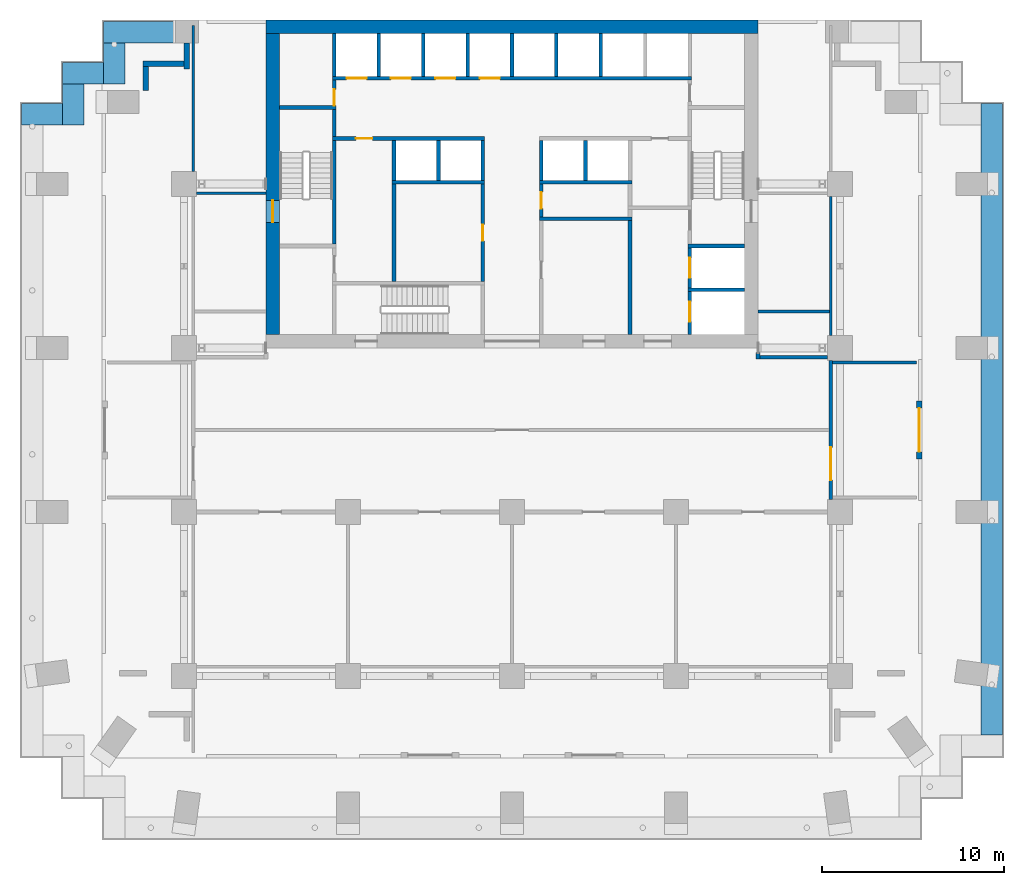
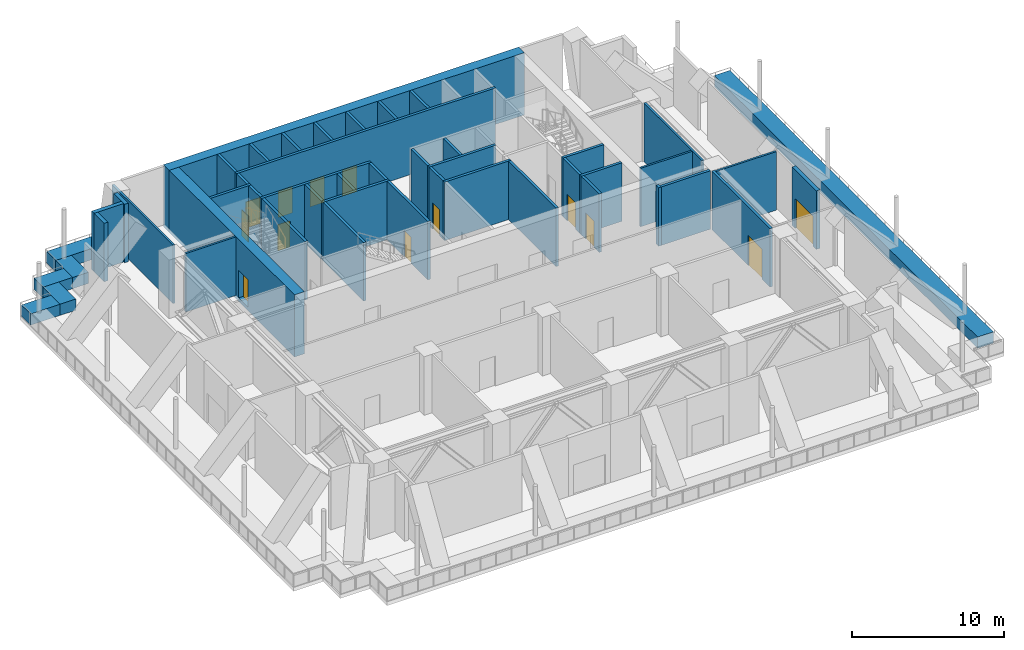
# One storey, part 4 of 9: 49 walls, 13 doors, 13 openings.
"""IFC4 building model written with IfcOpenShell, lengths in metres."""

from ifc_helpers import new_model, si_unit, direction, frame, frame_2d, origin, place, context, subcontext, project, spatial, rectangle, extrude, material, layer, layer_set, type_object, element, fill, save


model = new_model("IFC4")

# Units and contexts
model_context = context("Model", 3, precision=1e-05, world=origin(), true_north=direction((0.0, 1.0)))
body_context = subcontext(model_context, "Body", "Model", "MODEL_VIEW")
ifc_project = project(units=[si_unit("LENGTHUNIT", "METRE"), si_unit("AREAUNIT", "SQUARE_METRE"), si_unit("VOLUMEUNIT", "CUBIC_METRE"), si_unit("PLANEANGLEUNIT", "RADIAN"), si_unit("MASSUNIT", "GRAM", prefix="KILO")], contexts=[model_context])

# Site, building, storey
site_placement = place(None, origin())
site = spatial("IfcSite", under=ifc_project, at=site_placement, CompositionType="ELEMENT")
building_placement = place(site_placement, origin())
building = spatial("IfcBuilding", under=site, at=building_placement, Name="Orbiselva Terraces", CompositionType="ELEMENT")
storey_placement = place(building_placement, frame((0.0, 0.0, 115.0)))
storey = spatial("IfcBuildingStorey", under=building, at=storey_placement, Name="L29", CompositionType="ELEMENT", Elevation=115.0)

# Wall, opening, door
ifc_material_1 = material(Name="Concrete C80/95", Category="concrete")
ifc_layer_1 = layer(ifc_material_1, 0.75)
ifc_layer_set_1 = layer_set([ifc_layer_1], Name="Concrete C80/95")
wall_type_1 = type_object("IfcWallType", Name="CORE WALL 750", PredefinedType="SHEAR", material=ifc_layer_set_1)
wall_1_placement = place(storey_placement, frame((-13.125, 21.75, -0.3), z_axis=(0.0, 0.0, 1.0), x_axis=(0.0, -1.0, 0.0)))
wall_1 = element("IfcWall", 1, at=wall_1_placement, inside=storey, type_object=wall_type_1, Name="Core wall L29 west", PredefinedType="SHEAR", context=body_context, shape_type="SweptSolid", body=[
    extrude(rectangle(XDim=16.5, YDim=0.75, at=frame_2d((8.25, 0.0))), origin(), (0.0, 0.0, 1.0), 5.0),
])
opening_1_placement = place(wall_1_placement, frame((9.15, 0.0, 0.3)))
opening_1 = element("IfcOpeningElement", 2, at=opening_1_placement, cuts=wall_1, Name="Opening DS1200", PredefinedType="OPENING", context=body_context, shape_type="SweptSolid", body=[
    extrude(rectangle(XDim=1.2, YDim=2.2, at=frame_2d((0.6, 1.1))), frame((0.0, 0.385, 0.0), z_axis=(0.0, -1.0, 0.0), x_axis=(1.0, 0.0, 0.0)), (0.0, 0.0, 1.0), 0.77),
])
ifc_material_2 = material(Name="Steel fire door", Category="steel")
door_type_1 = type_object("IfcDoorType", Name="STAIR DOOR 1200", OperationType="NOTDEFINED", PredefinedType="DOOR", material=ifc_material_2)
door_1_placement = place(opening_1_placement, frame((1.2, 0.0, 0.0), z_axis=(0.0, 0.0, 1.0), x_axis=(-1.0, 0.0, 0.0)))
door_1 = element("IfcDoor", 3, at=door_1_placement, inside=storey, type_object=door_type_1, Name="L29 EXIT STAIR S1 door", OperationType="SINGLE_SWING_RIGHT", OverallHeight=2.2, OverallWidth=1.2, PredefinedType="DOOR", context=body_context, shape_type="SweptSolid", body=[
    extrude(rectangle(XDim=1.2, YDim=2.2, at=frame_2d((0.6, 1.1))), frame((0.0, 0.025, 0.0), z_axis=(0.0, -1.0, 0.0), x_axis=(1.0, 0.0, 0.0)), (0.0, 0.0, 1.0), 0.05),
])
fill(opening_1, door_1)

# Wall
ifc_layer_2 = layer(ifc_material_1, 0.75)
ifc_layer_set_2 = layer_set([ifc_layer_2], Name="Concrete C80/95")
wall_type_2 = type_object("IfcWallType", Name="CORE WALL 750 EXTERNAL", PredefinedType="SHEAR", material=ifc_layer_set_2)
wall_2_placement = place(storey_placement, frame((13.5, 22.125, -0.3), z_axis=(0.0, 0.0, 1.0), x_axis=(-1.0, 0.0, 0.0)))
element("IfcWall", 4, at=wall_2_placement, inside=storey, type_object=wall_type_2, Name="Core wall L29 north", PredefinedType="SHEAR", context=body_context, shape_type="SweptSolid", body=[
    extrude(rectangle(XDim=27.0, YDim=0.75, at=frame_2d((13.5, 0.0))), origin(), (0.0, 0.0, 1.0), 5.0),
])

# Wall, opening, door
ifc_material_3 = material(Name="Masonry blockwork", Category="masonry")
ifc_layer_3 = layer(ifc_material_3, 0.2)
ifc_layer_set_3 = layer_set([ifc_layer_3], Name="Masonry blockwork")
wall_type_3 = type_object("IfcWallType", Name="CORE-WALL-PARTITION-200", PredefinedType="PARTITIONING", material=ifc_layer_set_3)
wall_3_placement = place(storey_placement, frame((-9.75, 17.8, 0.0), z_axis=(0.0, 0.0, 1.0), x_axis=(0.0, 1.0, 0.0)))
wall_3 = element("IfcWall", 5, at=wall_3_placement, inside=storey, type_object=wall_type_3, Name="L29 core wall 09", PredefinedType="PARTITIONING", context=body_context, shape_type="SweptSolid", body=[
    extrude(rectangle(XDim=1.4, YDim=0.2, at=frame_2d((0.7, 0.0))), origin(), (0.0, 0.0, 1.0), 4.7),
])
opening_2_placement = place(wall_3_placement, origin())
opening_2 = element("IfcOpeningElement", 6, at=opening_2_placement, cuts=wall_3, Name="Opening DR900", PredefinedType="OPENING", context=body_context, shape_type="SweptSolid", body=[
    extrude(rectangle(XDim=0.9, YDim=2.1, at=frame_2d((0.45, 1.05))), frame((0.0, 0.11, 0.0), z_axis=(0.0, -1.0, 0.0), x_axis=(1.0, 0.0, 0.0)), (0.0, 0.0, 1.0), 0.22),
])
door_type_2 = type_object("IfcDoorType", Name="ROOM DOOR 900", OperationType="NOTDEFINED", PredefinedType="DOOR", material=ifc_material_2)
door_2_placement = place(opening_2_placement, origin())
door_2 = element("IfcDoor", 7, at=door_2_placement, inside=storey, type_object=door_type_2, Name="L29 REFUGE STAIR LOBBY door", OperationType="SINGLE_SWING_LEFT", OverallHeight=2.1, OverallWidth=0.9, PredefinedType="DOOR", context=body_context, shape_type="SweptSolid", body=[
    extrude(rectangle(XDim=0.9, YDim=2.1, at=frame_2d((0.45, 1.05))), frame((0.0, 0.025, 0.0), z_axis=(0.0, -1.0, 0.0), x_axis=(1.0, 0.0, 0.0)), (0.0, 0.0, 1.0), 0.05),
])
fill(opening_2, door_2)

# Wall
wall_4_placement = place(storey_placement, frame((-6.475, 8.15, 0.0), z_axis=(0.0, 0.0, 1.0), x_axis=(0.0, 1.0, 0.0)))
element("IfcWall", 8, at=wall_4_placement, inside=storey, type_object=wall_type_3, Name="L29 core wall 13", PredefinedType="PARTITIONING", context=body_context, shape_type="SweptSolid", body=[
    extrude(rectangle(XDim=5.35, YDim=0.2, at=frame_2d((2.675, 0.0))), origin(), (0.0, 0.0, 1.0), 4.7),
])

# Wall, opening, door
wall_5_placement = place(storey_placement, frame((1.6, 13.5, 0.0), z_axis=(0.0, 0.0, 1.0), x_axis=(0.0, -1.0, 0.0)))
wall_5 = element("IfcWall", 9, at=wall_5_placement, inside=storey, type_object=wall_type_3, Name="L29 core wall 25", PredefinedType="PARTITIONING", context=body_context, shape_type="SweptSolid", body=[
    extrude(rectangle(XDim=1.8, YDim=0.2, at=frame_2d((0.9, 0.0))), origin(), (0.0, 0.0, 1.0), 4.7),
])
opening_3_placement = place(wall_5_placement, frame((0.45, 0.0, 0.0)))
opening_3 = element("IfcOpeningElement", 10, at=opening_3_placement, cuts=wall_5, Name="Opening DR900", PredefinedType="OPENING", context=body_context, shape_type="SweptSolid", body=[
    extrude(rectangle(XDim=0.9, YDim=2.1, at=frame_2d((0.45, 1.05))), frame((0.0, 0.11, 0.0), z_axis=(0.0, -1.0, 0.0), x_axis=(1.0, 0.0, 0.0)), (0.0, 0.0, 1.0), 0.22),
])
door_3_placement = place(opening_3_placement, origin())
door_3 = element("IfcDoor", 11, at=door_3_placement, inside=storey, type_object=door_type_2, Name="L29 BMS CONTROL ROOM door", OperationType="SINGLE_SWING_LEFT", OverallHeight=2.1, OverallWidth=0.9, PredefinedType="DOOR", context=body_context, shape_type="SweptSolid", body=[
    extrude(rectangle(XDim=0.9, YDim=2.1, at=frame_2d((0.45, 1.05))), frame((0.0, 0.025, 0.0), z_axis=(0.0, -1.0, 0.0), x_axis=(1.0, 0.0, 0.0)), (0.0, 0.0, 1.0), 0.05),
])
fill(opening_3, door_3)

# Walls
ifc_material_4 = material(Name="Concrete C40/50", Category="concrete")
ifc_layer_4 = layer(ifc_material_4, 0.2)
ifc_layer_set_4 = layer_set([ifc_layer_4], Name="Concrete C40/50")
wall_type_4 = type_object("IfcWallType", Name="CORE-WALL-SHAFT-200", PredefinedType="PARTITIONING", material=ifc_layer_set_4)
for number, where, z_axis, x_axis, name in (
    (12, (-9.75, 19.4, 0.0), (0.0, 0.0, 1.0), (0.0, 1.0, 0.0), "L29 core wall 11"),
    (13, (-7.3125, 19.4, 0.0), (0.0, 0.0, 1.0), (0.0, 1.0, 0.0), "L29 core wall 12"),
):
    element("IfcWall", number, at=place(storey_placement, frame(where, z_axis=z_axis, x_axis=x_axis)), inside=storey, type_object=wall_type_4, Name=name, PredefinedType="PARTITIONING", context=body_context, shape_type="SweptSolid", body=[
        extrude(rectangle(XDim=2.35, YDim=0.2, at=frame_2d((1.175, 0.0))), origin(), (0.0, 0.0, 1.0), 4.7),
    ])
wall_6_placement = place(storey_placement, frame((-6.475, 13.7, 0.0), z_axis=(0.0, 0.0, 1.0), x_axis=(0.0, 1.0, 0.0)))
element("IfcWall", 14, at=wall_6_placement, inside=storey, type_object=wall_type_4, Name="L29 core wall 15", PredefinedType="PARTITIONING", context=body_context, shape_type="SweptSolid", body=[
    extrude(rectangle(XDim=2.2, YDim=0.2, at=frame_2d((1.1, 0.0))), origin(), (0.0, 0.0, 1.0), 4.7),
])
wall_7_placement = place(storey_placement, frame((-4.875, 19.4, 0.0), z_axis=(0.0, 0.0, 1.0), x_axis=(0.0, 1.0, 0.0)))
element("IfcWall", 15, at=wall_7_placement, inside=storey, type_object=wall_type_4, Name="L29 core wall 16", PredefinedType="PARTITIONING", context=body_context, shape_type="SweptSolid", body=[
    extrude(rectangle(XDim=2.35, YDim=0.2, at=frame_2d((1.175, 0.0))), origin(), (0.0, 0.0, 1.0), 4.7),
])
wall_8_placement = place(storey_placement, frame((-4.0375, 13.7, 0.0), z_axis=(0.0, 0.0, 1.0), x_axis=(0.0, 1.0, 0.0)))
element("IfcWall", 16, at=wall_8_placement, inside=storey, type_object=wall_type_4, Name="L29 core wall 17", PredefinedType="PARTITIONING", context=body_context, shape_type="SweptSolid", body=[
    extrude(rectangle(XDim=2.2, YDim=0.2, at=frame_2d((1.1, 0.0))), origin(), (0.0, 0.0, 1.0), 4.7),
])
wall_9_placement = place(storey_placement, frame((-2.4375, 19.4, 0.0), z_axis=(0.0, 0.0, 1.0), x_axis=(0.0, 1.0, 0.0)))
element("IfcWall", 17, at=wall_9_placement, inside=storey, type_object=wall_type_4, Name="L29 core wall 18", PredefinedType="PARTITIONING", context=body_context, shape_type="SweptSolid", body=[
    extrude(rectangle(XDim=2.35, YDim=0.2, at=frame_2d((1.175, 0.0))), origin(), (0.0, 0.0, 1.0), 4.7),
])
wall_10_placement = place(storey_placement, frame((-1.6, 13.7, 0.0), z_axis=(0.0, 0.0, 1.0), x_axis=(0.0, 1.0, 0.0)))
element("IfcWall", 18, at=wall_10_placement, inside=storey, type_object=wall_type_4, Name="L29 core wall 21", PredefinedType="PARTITIONING", context=body_context, shape_type="SweptSolid", body=[
    extrude(rectangle(XDim=2.2, YDim=0.2, at=frame_2d((1.1, 0.0))), origin(), (0.0, 0.0, 1.0), 4.7),
])
wall_11_placement = place(storey_placement, frame((0.0, 19.4, 0.0), z_axis=(0.0, 0.0, 1.0), x_axis=(0.0, 1.0, 0.0)))
element("IfcWall", 19, at=wall_11_placement, inside=storey, type_object=wall_type_4, Name="L29 core wall 22", PredefinedType="PARTITIONING", context=body_context, shape_type="SweptSolid", body=[
    extrude(rectangle(XDim=2.35, YDim=0.2, at=frame_2d((1.175, 0.0))), origin(), (0.0, 0.0, 1.0), 4.7),
])
wall_12_placement = place(storey_placement, frame((1.6, 13.7, 0.0), z_axis=(0.0, 0.0, 1.0), x_axis=(0.0, 1.0, 0.0)))
element("IfcWall", 20, at=wall_12_placement, inside=storey, type_object=wall_type_4, Name="L29 core wall 27", PredefinedType="PARTITIONING", context=body_context, shape_type="SweptSolid", body=[
    extrude(rectangle(XDim=2.2, YDim=0.2, at=frame_2d((1.1, 0.0))), origin(), (0.0, 0.0, 1.0), 4.7),
])
wall_13_placement = place(storey_placement, frame((2.4375, 19.4, 0.0), z_axis=(0.0, 0.0, 1.0), x_axis=(0.0, 1.0, 0.0)))
element("IfcWall", 21, at=wall_13_placement, inside=storey, type_object=wall_type_4, Name="L29 core wall 29", PredefinedType="PARTITIONING", context=body_context, shape_type="SweptSolid", body=[
    extrude(rectangle(XDim=2.35, YDim=0.2, at=frame_2d((1.175, 0.0))), origin(), (0.0, 0.0, 1.0), 4.7),
])
wall_14_placement = place(storey_placement, frame((4.0375, 13.7, 0.0), z_axis=(0.0, 0.0, 1.0), x_axis=(0.0, 1.0, 0.0)))
element("IfcWall", 22, at=wall_14_placement, inside=storey, type_object=wall_type_4, Name="L29 core wall 30", PredefinedType="PARTITIONING", context=body_context, shape_type="SweptSolid", body=[
    extrude(rectangle(XDim=2.2, YDim=0.2, at=frame_2d((1.1, 0.0))), origin(), (0.0, 0.0, 1.0), 4.7),
])
wall_15_placement = place(storey_placement, frame((4.875, 19.4, 0.0), z_axis=(0.0, 0.0, 1.0), x_axis=(0.0, 1.0, 0.0)))
element("IfcWall", 23, at=wall_15_placement, inside=storey, type_object=wall_type_4, Name="L29 core wall 31", PredefinedType="PARTITIONING", context=body_context, shape_type="SweptSolid", body=[
    extrude(rectangle(XDim=2.35, YDim=0.2, at=frame_2d((1.175, 0.0))), origin(), (0.0, 0.0, 1.0), 4.7),
])
ifc_material_5 = material(Name="Concrete C60/75", Category="concrete")
ifc_layer_5 = layer(ifc_material_5, 0.2)
ifc_layer_set_5 = layer_set([ifc_layer_5], Name="Concrete C60/75")
wall_type_5 = type_object("IfcWallType", Name="CORE-WALL-SHEAR-200", PredefinedType="SHEAR", material=ifc_layer_set_5)
wall_16_placement = place(storey_placement, frame((-12.75, 17.7, 0.0), z_axis=(0.0, 0.0, 1.0), x_axis=(1.0, 0.0, 0.0)))
element("IfcWall", 24, at=wall_16_placement, inside=storey, type_object=wall_type_5, Name="L29 core wall 02", PredefinedType="SHEAR", context=body_context, shape_type="SweptSolid", body=[
    extrude(rectangle(XDim=3.1, YDim=0.2, at=frame_2d((1.55, 0.0))), origin(), (0.0, 0.0, 1.0), 4.7),
])
wall_17_placement = place(storey_placement, frame((-9.75, 10.2, 0.0), z_axis=(0.0, 0.0, 1.0), x_axis=(0.0, 1.0, 0.0)))
element("IfcWall", 25, at=wall_17_placement, inside=storey, type_object=wall_type_5, Name="L29 core wall 06", PredefinedType="SHEAR", context=body_context, shape_type="SweptSolid", body=[
    extrude(rectangle(XDim=5.7, YDim=0.2, at=frame_2d((2.85, 0.0))), origin(), (0.0, 0.0, 1.0), 4.7),
])

# Wall, opening, door
wall_18_placement = place(storey_placement, frame((-1.5, 16.0, 0.0), z_axis=(0.0, 0.0, 1.0), x_axis=(-1.0, 0.0, 0.0)))
wall_18 = element("IfcWall", 26, at=wall_18_placement, inside=storey, type_object=wall_type_5, Name="L29 core wall 07", PredefinedType="SHEAR", context=body_context, shape_type="SweptSolid", body=[
    extrude(rectangle(XDim=8.35, YDim=0.2, at=frame_2d((4.175, 0.0))), origin(), (0.0, 0.0, 1.0), 4.7),
])
opening_4_placement = place(wall_18_placement, frame((6.1625, 0.0, 0.0)))
opening_4 = element("IfcOpeningElement", 27, at=opening_4_placement, cuts=wall_18, Name="Opening DR900", PredefinedType="OPENING", context=body_context, shape_type="SweptSolid", body=[
    extrude(rectangle(XDim=0.9, YDim=2.1, at=frame_2d((0.45, 1.05))), frame((0.0, 0.11, 0.0), z_axis=(0.0, -1.0, 0.0), x_axis=(1.0, 0.0, 0.0)), (0.0, 0.0, 1.0), 0.22),
])
door_4_placement = place(opening_4_placement, origin())
door_4 = element("IfcDoor", 28, at=door_4_placement, inside=storey, type_object=door_type_2, Name="L29 PUMP AND TANK ROOM door", OperationType="SINGLE_SWING_RIGHT", OverallHeight=2.1, OverallWidth=0.9, PredefinedType="DOOR", context=body_context, shape_type="SweptSolid", body=[
    extrude(rectangle(XDim=0.9, YDim=2.1, at=frame_2d((0.45, 1.05))), frame((0.0, 0.025, 0.0), z_axis=(0.0, -1.0, 0.0), x_axis=(1.0, 0.0, 0.0)), (0.0, 0.0, 1.0), 0.05),
])
fill(opening_4, door_4)

# Wall
wall_19_placement = place(storey_placement, frame((-9.75, 16.1, 0.0), z_axis=(0.0, 0.0, 1.0), x_axis=(0.0, 1.0, 0.0)))
element("IfcWall", 29, at=wall_19_placement, inside=storey, type_object=wall_type_5, Name="L29 core wall 08", PredefinedType="SHEAR", context=body_context, shape_type="SweptSolid", body=[
    extrude(rectangle(XDim=1.5, YDim=0.2, at=frame_2d((0.75, 0.0))), origin(), (0.0, 0.0, 1.0), 4.7),
])

# Wall, openings, doors
wall_20_placement = place(storey_placement, frame((-9.85, 19.3, 0.0), z_axis=(0.0, 0.0, 1.0), x_axis=(1.0, 0.0, 0.0)))
wall_20 = element("IfcWall", 30, at=wall_20_placement, inside=storey, type_object=wall_type_5, Name="L29 core wall 10", PredefinedType="SHEAR", context=body_context, shape_type="SweptSolid", body=[
    extrude(rectangle(XDim=19.7, YDim=0.2, at=frame_2d((9.85, 0.0))), origin(), (0.0, 0.0, 1.0), 4.7),
])
opening_5_placement = place(wall_20_placement, frame((0.76875, 0.0, 0.0)))
opening_5 = element("IfcOpeningElement", 31, at=opening_5_placement, cuts=wall_20, Name="Opening LD-LR1", PredefinedType="OPENING", context=body_context, shape_type="SweptSolid", body=[
    extrude(rectangle(XDim=1.1, YDim=2.1, at=frame_2d((0.55, 1.05))), frame((0.0, 0.11, 0.0), z_axis=(0.0, -1.0, 0.0), x_axis=(1.0, 0.0, 0.0)), (0.0, 0.0, 1.0), 0.22),
])
opening_6_placement = place(wall_20_placement, frame((3.20625, 0.0, 0.0)))
opening_6 = element("IfcOpeningElement", 32, at=opening_6_placement, cuts=wall_20, Name="Opening LD-LR2", PredefinedType="OPENING", context=body_context, shape_type="SweptSolid", body=[
    extrude(rectangle(XDim=1.1, YDim=2.1, at=frame_2d((0.55, 1.05))), frame((0.0, 0.11, 0.0), z_axis=(0.0, -1.0, 0.0), x_axis=(1.0, 0.0, 0.0)), (0.0, 0.0, 1.0), 0.22),
])
opening_7_placement = place(wall_20_placement, frame((5.64375, 0.0, 0.0)))
opening_7 = element("IfcOpeningElement", 33, at=opening_7_placement, cuts=wall_20, Name="Opening LD-LR3", PredefinedType="OPENING", context=body_context, shape_type="SweptSolid", body=[
    extrude(rectangle(XDim=1.1, YDim=2.1, at=frame_2d((0.55, 1.05))), frame((0.0, 0.11, 0.0), z_axis=(0.0, -1.0, 0.0), x_axis=(1.0, 0.0, 0.0)), (0.0, 0.0, 1.0), 0.22),
])
opening_8_placement = place(wall_20_placement, frame((8.08125, 0.0, 0.0)))
opening_8 = element("IfcOpeningElement", 34, at=opening_8_placement, cuts=wall_20, Name="Opening LD-LR4", PredefinedType="OPENING", context=body_context, shape_type="SweptSolid", body=[
    extrude(rectangle(XDim=1.1, YDim=2.1, at=frame_2d((0.55, 1.05))), frame((0.0, 0.11, 0.0), z_axis=(0.0, -1.0, 0.0), x_axis=(1.0, 0.0, 0.0)), (0.0, 0.0, 1.0), 0.22),
])
ifc_material_6 = material(Name="Stainless steel landing door", Category="steel")
door_type_3 = type_object("IfcDoorType", Name="LANDING DOOR 1100", OperationType="SLIDING_TO_LEFT", PredefinedType="DOOR", material=ifc_material_6)
door_5_placement = place(opening_5_placement, origin())
door_5 = element("IfcDoor", 35, at=door_5_placement, inside=storey, type_object=door_type_3, Name="L29 landing door LR1", OperationType="SLIDING_TO_LEFT", OverallHeight=2.1, OverallWidth=1.1, PredefinedType="DOOR", context=body_context, shape_type="SweptSolid", body=[
    extrude(rectangle(XDim=1.1, YDim=2.1, at=frame_2d((0.55, 1.05))), frame((0.0, 0.025, 0.0), z_axis=(0.0, -1.0, 0.0), x_axis=(1.0, 0.0, 0.0)), (0.0, 0.0, 1.0), 0.05),
])
fill(opening_5, door_5)
door_6_placement = place(opening_6_placement, origin())
door_6 = element("IfcDoor", 36, at=door_6_placement, inside=storey, type_object=door_type_3, Name="L29 landing door LR2", OperationType="SLIDING_TO_LEFT", OverallHeight=2.1, OverallWidth=1.1, PredefinedType="DOOR", context=body_context, shape_type="SweptSolid", body=[
    extrude(rectangle(XDim=1.1, YDim=2.1, at=frame_2d((0.55, 1.05))), frame((0.0, 0.025, 0.0), z_axis=(0.0, -1.0, 0.0), x_axis=(1.0, 0.0, 0.0)), (0.0, 0.0, 1.0), 0.05),
])
fill(opening_6, door_6)
door_7_placement = place(opening_7_placement, origin())
door_7 = element("IfcDoor", 37, at=door_7_placement, inside=storey, type_object=door_type_3, Name="L29 landing door LR3", OperationType="SLIDING_TO_LEFT", OverallHeight=2.1, OverallWidth=1.1, PredefinedType="DOOR", context=body_context, shape_type="SweptSolid", body=[
    extrude(rectangle(XDim=1.1, YDim=2.1, at=frame_2d((0.55, 1.05))), frame((0.0, 0.025, 0.0), z_axis=(0.0, -1.0, 0.0), x_axis=(1.0, 0.0, 0.0)), (0.0, 0.0, 1.0), 0.05),
])
fill(opening_7, door_7)
door_8_placement = place(opening_8_placement, origin())
door_8 = element("IfcDoor", 38, at=door_8_placement, inside=storey, type_object=door_type_3, Name="L29 landing door LR4", OperationType="SLIDING_TO_LEFT", OverallHeight=2.1, OverallWidth=1.1, PredefinedType="DOOR", context=body_context, shape_type="SweptSolid", body=[
    extrude(rectangle(XDim=1.1, YDim=2.1, at=frame_2d((0.55, 1.05))), frame((0.0, 0.025, 0.0), z_axis=(0.0, -1.0, 0.0), x_axis=(1.0, 0.0, 0.0)), (0.0, 0.0, 1.0), 0.05),
])
fill(opening_8, door_8)

# Wall
wall_21_placement = place(storey_placement, frame((-6.575, 13.6, 0.0), z_axis=(0.0, 0.0, 1.0), x_axis=(1.0, 0.0, 0.0)))
element("IfcWall", 39, at=wall_21_placement, inside=storey, type_object=wall_type_5, Name="L29 core wall 14", PredefinedType="SHEAR", context=body_context, shape_type="SweptSolid", body=[
    extrude(rectangle(XDim=5.075, YDim=0.2, at=frame_2d((2.5375, 0.0))), origin(), (0.0, 0.0, 1.0), 4.7),
])

# Wall, opening, door
wall_22_placement = place(storey_placement, frame((-1.6, 8.15, 0.0), z_axis=(0.0, 0.0, 1.0), x_axis=(0.0, 1.0, 0.0)))
wall_22 = element("IfcWall", 40, at=wall_22_placement, inside=storey, type_object=wall_type_5, Name="L29 core wall 20", PredefinedType="SHEAR", context=body_context, shape_type="SweptSolid", body=[
    extrude(rectangle(XDim=5.35, YDim=0.2, at=frame_2d((2.675, 0.0))), origin(), (0.0, 0.0, 1.0), 4.7),
])
opening_9_placement = place(wall_22_placement, frame((2.225, 0.0, 0.0)))
opening_9 = element("IfcOpeningElement", 41, at=opening_9_placement, cuts=wall_22, Name="Opening DR900", PredefinedType="OPENING", context=body_context, shape_type="SweptSolid", body=[
    extrude(rectangle(XDim=0.9, YDim=2.1, at=frame_2d((0.45, 1.05))), frame((0.0, 0.11, 0.0), z_axis=(0.0, -1.0, 0.0), x_axis=(1.0, 0.0, 0.0)), (0.0, 0.0, 1.0), 0.22),
])
door_9_placement = place(opening_9_placement, origin())
door_9 = element("IfcDoor", 42, at=door_9_placement, inside=storey, type_object=door_type_2, Name="L29 AIR HANDLING ROOM door", OperationType="SINGLE_SWING_RIGHT", OverallHeight=2.1, OverallWidth=0.9, PredefinedType="DOOR", context=body_context, shape_type="SweptSolid", body=[
    extrude(rectangle(XDim=0.9, YDim=2.1, at=frame_2d((0.45, 1.05))), frame((0.0, 0.025, 0.0), z_axis=(0.0, -1.0, 0.0), x_axis=(1.0, 0.0, 0.0)), (0.0, 0.0, 1.0), 0.05),
])
fill(opening_9, door_9)

# Walls
for number, where, z_axis, x_axis, name in (
    (43, (1.5, 11.6, 0.0), (0.0, 0.0, 1.0), (1.0, 0.0, 0.0), "L29 core wall 24"),
    (44, (1.5, 13.6, 0.0), (0.0, 0.0, 1.0), (1.0, 0.0, 0.0), "L29 core wall 26"),
):
    element("IfcWall", number, at=place(storey_placement, frame(where, z_axis=z_axis, x_axis=x_axis)), inside=storey, type_object=wall_type_5, Name=name, PredefinedType="SHEAR", context=body_context, shape_type="SweptSolid", body=[
        extrude(rectangle(XDim=5.075, YDim=0.2, at=frame_2d((2.5375, 0.0))), origin(), (0.0, 0.0, 1.0), 4.7),
    ])
wall_23_placement = place(storey_placement, frame((6.475, 5.25, 0.0), z_axis=(0.0, 0.0, 1.0), x_axis=(0.0, 1.0, 0.0)))
element("IfcWall", 45, at=wall_23_placement, inside=storey, type_object=wall_type_5, Name="L29 core wall 32", PredefinedType="SHEAR", context=body_context, shape_type="SweptSolid", body=[
    extrude(rectangle(XDim=6.25, YDim=0.2, at=frame_2d((3.125, 0.0))), origin(), (0.0, 0.0, 1.0), 4.7),
])

# Wall, opening, door
wall_24_placement = place(storey_placement, frame((9.75, 5.25, 0.0), z_axis=(0.0, 0.0, 1.0), x_axis=(0.0, 1.0, 0.0)))
wall_24 = element("IfcWall", 46, at=wall_24_placement, inside=storey, type_object=wall_type_5, Name="L29 core wall 38", PredefinedType="SHEAR", context=body_context, shape_type="SweptSolid", body=[
    extrude(rectangle(XDim=2.35, YDim=0.2, at=frame_2d((1.175, 0.0))), origin(), (0.0, 0.0, 1.0), 4.7),
])
opening_10_placement = place(wall_24_placement, frame((0.7, 0.0, 0.0)))
opening_10 = element("IfcOpeningElement", 47, at=opening_10_placement, cuts=wall_24, Name="Opening LD-FF1", PredefinedType="OPENING", context=body_context, shape_type="SweptSolid", body=[
    extrude(rectangle(XDim=1.1, YDim=2.1, at=frame_2d((0.55, 1.05))), frame((0.0, 0.11, 0.0), z_axis=(0.0, -1.0, 0.0), x_axis=(1.0, 0.0, 0.0)), (0.0, 0.0, 1.0), 0.22),
])
door_10_placement = place(opening_10_placement, origin())
door_10 = element("IfcDoor", 48, at=door_10_placement, inside=storey, type_object=door_type_3, Name="L29 landing door FF1", OperationType="SLIDING_TO_RIGHT", OverallHeight=2.1, OverallWidth=1.1, PredefinedType="DOOR", context=body_context, shape_type="SweptSolid", body=[
    extrude(rectangle(XDim=1.1, YDim=2.1, at=frame_2d((0.55, 1.05))), frame((0.0, 0.025, 0.0), z_axis=(0.0, -1.0, 0.0), x_axis=(1.0, 0.0, 0.0)), (0.0, 0.0, 1.0), 0.05),
])
fill(opening_10, door_10)

# Wall
wall_25_placement = place(storey_placement, frame((9.65, 7.7, 0.0), z_axis=(0.0, 0.0, 1.0), x_axis=(1.0, 0.0, 0.0)))
element("IfcWall", 49, at=wall_25_placement, inside=storey, type_object=wall_type_5, Name="L29 core wall 39", PredefinedType="SHEAR", context=body_context, shape_type="SweptSolid", body=[
    extrude(rectangle(XDim=3.1, YDim=0.2, at=frame_2d((1.55, 0.0))), origin(), (0.0, 0.0, 1.0), 4.7),
])

# Wall, opening, door
wall_26_placement = place(storey_placement, frame((9.75, 7.8, 0.0), z_axis=(0.0, 0.0, 1.0), x_axis=(0.0, 1.0, 0.0)))
wall_26 = element("IfcWall", 50, at=wall_26_placement, inside=storey, type_object=wall_type_5, Name="L29 core wall 40", PredefinedType="SHEAR", context=body_context, shape_type="SweptSolid", body=[
    extrude(rectangle(XDim=2.2, YDim=0.2, at=frame_2d((1.1, 0.0))), origin(), (0.0, 0.0, 1.0), 4.7),
])
opening_11_placement = place(wall_26_placement, frame((0.55, 0.0, 0.0)))
opening_11 = element("IfcOpeningElement", 51, at=opening_11_placement, cuts=wall_26, Name="Opening LD-FF2", PredefinedType="OPENING", context=body_context, shape_type="SweptSolid", body=[
    extrude(rectangle(XDim=1.1, YDim=2.1, at=frame_2d((0.55, 1.05))), frame((0.0, 0.11, 0.0), z_axis=(0.0, -1.0, 0.0), x_axis=(1.0, 0.0, 0.0)), (0.0, 0.0, 1.0), 0.22),
])
door_11_placement = place(opening_11_placement, origin())
door_11 = element("IfcDoor", 52, at=door_11_placement, inside=storey, type_object=door_type_3, Name="L29 landing door FF2", OperationType="SLIDING_TO_RIGHT", OverallHeight=2.1, OverallWidth=1.1, PredefinedType="DOOR", context=body_context, shape_type="SweptSolid", body=[
    extrude(rectangle(XDim=1.1, YDim=2.1, at=frame_2d((0.55, 1.05))), frame((0.0, 0.025, 0.0), z_axis=(0.0, -1.0, 0.0), x_axis=(1.0, 0.0, 0.0)), (0.0, 0.0, 1.0), 0.05),
])
fill(opening_11, door_11)

# Walls
wall_27_placement = place(storey_placement, frame((9.65, 10.1, 0.0), z_axis=(0.0, 0.0, 1.0), x_axis=(1.0, 0.0, 0.0)))
element("IfcWall", 53, at=wall_27_placement, inside=storey, type_object=wall_type_5, Name="L29 core wall 41", PredefinedType="SHEAR", context=body_context, shape_type="SweptSolid", body=[
    extrude(rectangle(XDim=3.1, YDim=0.2, at=frame_2d((1.55, 0.0))), origin(), (0.0, 0.0, 1.0), 4.7),
])
ifc_layer_6 = layer(ifc_material_4, 1.2)
ifc_layer_set_6 = layer_set([ifc_layer_6], Name="Concrete C40/50")
wall_type_6 = type_object("IfcWallType", Name="ENV-GARDEN-BED-1200x900", PredefinedType="USERDEFINED", material=ifc_layer_set_6)
wall_28_placement = place(storey_placement, frame((-18.0, 21.83, 0.0), z_axis=(0.0, 0.0, 1.0), x_axis=(-1.0, 0.0, 0.0)))
element("IfcWall", 54, at=wall_28_placement, inside=storey, type_object=wall_type_6, Name="Planter bed L29 ring", ObjectType="PLANTER", PredefinedType="USERDEFINED", context=body_context, shape_type="SweptSolid", body=[
    extrude(rectangle(XDim=4.43, YDim=1.2, at=frame_2d((2.215, 0.0))), origin(), (0.0, 0.0, 1.0), 0.9),
])
for number, where, z_axis, x_axis, name in (
    (55, (-21.83, 21.23, 0.0), (0.0, 0.0, 1.0), (0.0, -1.0, 0.0), "Planter bed L29 ring"),
    (56, (-22.43, 19.58, 0.0), (0.0, 0.0, 1.0), (-1.0, 0.0, 0.0), "Planter bed L29 ring"),
    (57, (-24.08, 18.98, 0.0), (0.0, 0.0, 1.0), (0.0, -1.0, 0.0), "Planter bed L29 ring"),
    (58, (-24.68, 17.33, 0.0), (0.0, 0.0, 1.0), (-1.0, 0.0, 0.0), "Planter bed L29 ring"),
):
    element("IfcWall", number, at=place(storey_placement, frame(where, z_axis=z_axis, x_axis=x_axis)), inside=storey, type_object=wall_type_6, Name=name, ObjectType="PLANTER", PredefinedType="USERDEFINED", context=body_context, shape_type="SweptSolid", body=[
        extrude(rectangle(XDim=2.25, YDim=1.2, at=frame_2d((1.125, 0.0))), origin(), (0.0, 0.0, 1.0), 0.9),
    ])
wall_29_placement = place(storey_placement, frame((26.33, -16.73, 0.0), z_axis=(0.0, 0.0, 1.0), x_axis=(0.0, 1.0, 0.0)))
element("IfcWall", 59, at=wall_29_placement, inside=storey, type_object=wall_type_6, Name="Planter bed L29 ring", ObjectType="PLANTER", PredefinedType="USERDEFINED", context=body_context, shape_type="SweptSolid", body=[
    extrude(rectangle(XDim=34.66, YDim=1.2, at=frame_2d((17.33, 0.0))), origin(), (0.0, 0.0, 1.0), 0.9),
])

# Wall, opening, door
ifc_material_7 = material(Name="Terracotta cladding on masonry backing", Category="masonry")
ifc_layer_7 = layer(ifc_material_7, 0.3)
ifc_layer_set_7 = layer_set([ifc_layer_7], Name="Terracotta cladding on masonry backing")
wall_type_7 = type_object("IfcWallType", Name="ENV-WALL-TERRACOTTA-300", PredefinedType="SOLIDWALL", material=ifc_layer_set_7)
wall_30_placement = place(storey_placement, frame((22.35, 1.6, 0.0), z_axis=(0.0, 0.0, 1.0), x_axis=(0.0, -1.0, 0.0)))
wall_30 = element("IfcWall", 60, at=wall_30_placement, inside=storey, type_object=wall_type_7, Name="Facade wall L29 E", PredefinedType="SOLIDWALL", context=body_context, shape_type="SweptSolid", body=[
    extrude(rectangle(XDim=3.2, YDim=0.3, at=frame_2d((1.6, 0.0))), origin(), (0.0, 0.0, 1.0), 4.7),
])
opening_12_placement = place(wall_30_placement, frame((0.4, 0.0, 0.0)))
opening_12 = element("IfcOpeningElement", 61, at=opening_12_placement, cuts=wall_30, Name="Opening PLANT-R1-E03", PredefinedType="OPENING", context=body_context, shape_type="SweptSolid", body=[
    extrude(rectangle(XDim=2.4, YDim=2.4, at=frame_2d((1.2, 1.2))), frame((0.0, 0.16, 0.0), z_axis=(0.0, -1.0, 0.0), x_axis=(1.0, 0.0, 0.0)), (0.0, 0.0, 1.0), 0.32),
])
ifc_material_8 = material(Name="Clear low-e glazing in aluminium frame", Category="aluminium")
door_type_4 = type_object("IfcDoorType", Name="TERRACE DOOR 2400 X 2400", OperationType="DOUBLE_DOOR_SINGLE_SWING", PredefinedType="DOOR", material=ifc_material_8)
door_12_placement = place(opening_12_placement, origin())
door_12 = element("IfcDoor", 62, at=door_12_placement, inside=storey, type_object=door_type_4, Name="PLANT-R1-E03", OperationType="SINGLE_SWING_LEFT", OverallHeight=2.4, OverallWidth=2.4, PredefinedType="DOOR", context=body_context, shape_type="SweptSolid", body=[
    extrude(rectangle(XDim=2.4, YDim=2.4, at=frame_2d((1.2, 1.2))), frame((0.0, 0.025, 0.0), z_axis=(0.0, -1.0, 0.0), x_axis=(1.0, 0.0, 0.0)), (0.0, 0.0, 1.0), 0.05),
])
fill(opening_12, door_12)

# Walls
wall_31_placement = place(storey_placement, frame((-17.85, 19.825, 0.0), z_axis=(0.0, 0.0, 1.0), x_axis=(0.0, 1.0, 0.0)))
element("IfcWall", 63, at=wall_31_placement, inside=storey, type_object=wall_type_7, Name="Facade wall L29 STEP", PredefinedType="SOLIDWALL", context=body_context, shape_type="SweptSolid", body=[
    extrude(rectangle(XDim=1.425, YDim=0.3, at=frame_2d((0.7125, 0.0))), origin(), (0.0, 0.0, 1.0), 4.7),
])
wall_32_placement = place(storey_placement, frame((-20.25, 20.1, 0.0), z_axis=(0.0, 0.0, 1.0), x_axis=(1.0, 0.0, 0.0)))
element("IfcWall", 64, at=wall_32_placement, inside=storey, type_object=wall_type_7, Name="Facade wall L29 STEP", PredefinedType="SOLIDWALL", context=body_context, shape_type="SweptSolid", body=[
    extrude(rectangle(XDim=2.25, YDim=0.3, at=frame_2d((1.125, 0.0))), origin(), (0.0, 0.0, 1.0), 4.7),
])
wall_33_placement = place(storey_placement, frame((-20.1, 18.625, 0.0), z_axis=(0.0, 0.0, 1.0), x_axis=(0.0, 1.0, 0.0)))
element("IfcWall", 65, at=wall_33_placement, inside=storey, type_object=wall_type_7, Name="Facade wall L29 STEP", PredefinedType="SOLIDWALL", context=body_context, shape_type="SweptSolid", body=[
    extrude(rectangle(XDim=1.325, YDim=0.3, at=frame_2d((0.6625, 0.0))), origin(), (0.0, 0.0, 1.0), 4.7),
])
ifc_material_9 = material(Name="Plasterboard on steel stud partition", Category="steel")
ifc_layer_8 = layer(ifc_material_9, 0.2)
ifc_layer_set_8 = layer_set([ifc_layer_8], Name="Plasterboard on steel stud partition")
wall_type_8 = type_object("IfcWallType", Name="UNIT-ENTRANCE-WALL-200", PredefinedType="PARTITIONING", material=ifc_layer_set_8)
wall_34_placement = place(storey_placement, frame((13.6, 4.0, 0.0), z_axis=(0.0, 0.0, 1.0), x_axis=(1.0, 0.0, 0.0)))
element("IfcWall", 66, at=wall_34_placement, inside=storey, type_object=wall_type_8, Name="PARTITION L29-015", PredefinedType="PARTITIONING", context=body_context, shape_type="SweptSolid", body=[
    extrude(rectangle(XDim=3.725, YDim=0.2, at=frame_2d((1.8625, 0.0))), origin(), (0.0, 0.0, 1.0), 4.7),
])
wall_35_placement = place(storey_placement, frame((13.5, 3.9, 0.0), z_axis=(0.0, 0.0, 1.0), x_axis=(0.0, 1.0, 0.0)))
element("IfcWall", 67, at=wall_35_placement, inside=storey, type_object=wall_type_8, Name="PARTITION L29-029", PredefinedType="PARTITIONING", context=body_context, shape_type="SweptSolid", body=[
    extrude(rectangle(XDim=0.35, YDim=0.2, at=frame_2d((0.175, 0.0))), origin(), (0.0, 0.0, 1.0), 4.7),
])

# Wall, opening, door
wall_36_placement = place(storey_placement, frame((17.5, -3.825, 0.0), z_axis=(0.0, 0.0, 1.0), x_axis=(0.0, 1.0, 0.0)))
wall_36 = element("IfcWall", 68, at=wall_36_placement, inside=storey, type_object=wall_type_8, Name="PARTITION L29-030", PredefinedType="PARTITIONING", context=body_context, shape_type="SweptSolid", body=[
    extrude(rectangle(XDim=7.65, YDim=0.2, at=frame_2d((3.825, 0.0))), origin(), (0.0, 0.0, 1.0), 4.7),
])
opening_13_placement = place(wall_36_placement, frame((1.07, 0.0, 0.0)))
opening_13 = element("IfcOpeningElement", 69, at=opening_13_placement, cuts=wall_36, Name="Opening PLANT-R1-03", PredefinedType="OPENING", context=body_context, shape_type="SweptSolid", body=[
    extrude(rectangle(XDim=1.8, YDim=2.4, at=frame_2d((0.9, 1.2))), frame((0.0, 0.11, 0.0), z_axis=(0.0, -1.0, 0.0), x_axis=(1.0, 0.0, 0.0)), (0.0, 0.0, 1.0), 0.22),
])
ifc_material_10 = material(Name="Painted timber door leaf", Category="wood")
door_type_5 = type_object("IfcDoorType", Name="DOUBLE DOOR 1800", OperationType="NOTDEFINED", PredefinedType="DOOR", material=ifc_material_10)
door_13_placement = place(opening_13_placement, origin())
door_13 = element("IfcDoor", 70, at=door_13_placement, inside=storey, type_object=door_type_5, Name="PLANT-R1-03", OperationType="DOUBLE_DOOR_SINGLE_SWING", OverallHeight=2.4, OverallWidth=1.8, PredefinedType="DOOR", context=body_context, shape_type="SweptSolid", body=[
    extrude(rectangle(XDim=1.8, YDim=2.4, at=frame_2d((0.9, 1.2))), frame((0.0, 0.025, 0.0), z_axis=(0.0, -1.0, 0.0), x_axis=(1.0, 0.0, 0.0)), (0.0, 0.0, 1.0), 0.05),
])
fill(opening_13, door_13)

# Walls
ifc_layer_9 = layer(ifc_material_9, 0.15)
ifc_layer_set_9 = layer_set([ifc_layer_9], Name="Plasterboard on steel stud partition")
wall_type_9 = type_object("IfcWallType", Name="UNIT-PARTITION-150", PredefinedType="PARTITIONING", material=ifc_layer_set_9)
wall_37_placement = place(storey_placement, frame((17.6, 3.705, 0.0), z_axis=(0.0, 0.0, 1.0), x_axis=(1.0, 0.0, 0.0)))
element("IfcWall", 71, at=wall_37_placement, inside=storey, type_object=wall_type_9, Name="PARTITION L29-013", PredefinedType="PARTITIONING", context=body_context, shape_type="SweptSolid", body=[
    extrude(rectangle(XDim=4.6, YDim=0.15, at=frame_2d((2.3, 0.0))), origin(), (0.0, 0.0, 1.0), 4.7),
])
wall_38_placement = place(storey_placement, frame((13.5, 6.5, 0.0), z_axis=(0.0, 0.0, 1.0), x_axis=(1.0, 0.0, 0.0)))
element("IfcWall", 72, at=wall_38_placement, inside=storey, type_object=wall_type_9, Name="PARTITION L29-017", PredefinedType="PARTITIONING", context=body_context, shape_type="SweptSolid", body=[
    extrude(rectangle(XDim=3.925, YDim=0.15, at=frame_2d((1.9625, 0.0))), origin(), (0.0, 0.0, 1.0), 4.7),
])
wall_39_placement = place(storey_placement, frame((-17.325, 13.0, 0.0), z_axis=(0.0, 0.0, 1.0), x_axis=(1.0, 0.0, 0.0)))
element("IfcWall", 73, at=wall_39_placement, inside=storey, type_object=wall_type_9, Name="PARTITION L29-018", PredefinedType="PARTITIONING", context=body_context, shape_type="SweptSolid", body=[
    extrude(rectangle(XDim=3.825, YDim=0.15, at=frame_2d((1.9125, 0.0))), origin(), (0.0, 0.0, 1.0), 4.7),
])
wall_40_placement = place(storey_placement, frame((-17.5, 14.175, 0.0), z_axis=(0.0, 0.0, 1.0), x_axis=(0.0, 1.0, 0.0)))
element("IfcWall", 74, at=wall_40_placement, inside=storey, type_object=wall_type_9, Name="PARTITION L29-024", PredefinedType="PARTITIONING", context=body_context, shape_type="SweptSolid", body=[
    extrude(rectangle(XDim=8.025, YDim=0.15, at=frame_2d((4.0125, 0.0))), origin(), (0.0, 0.0, 1.0), 4.7),
])
wall_41_placement = place(storey_placement, frame((17.5, 5.175, 0.0), z_axis=(0.0, 0.0, 1.0), x_axis=(0.0, 1.0, 0.0)))
element("IfcWall", 75, at=wall_41_placement, inside=storey, type_object=wall_type_9, Name="PARTITION L29-033", PredefinedType="PARTITIONING", context=body_context, shape_type="SweptSolid", body=[
    extrude(rectangle(XDim=7.65, YDim=0.15, at=frame_2d((3.825, 0.0))), origin(), (0.0, 0.0, 1.0), 4.7),
])

save(model, "model.ifc")
